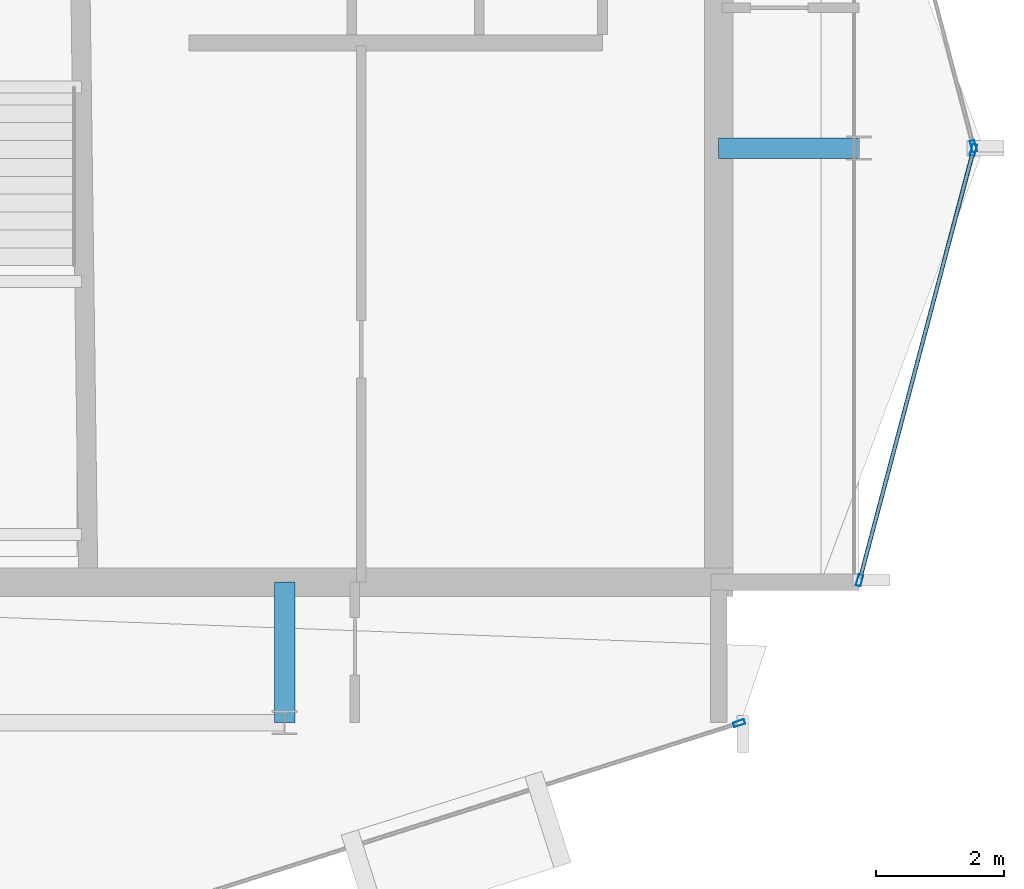
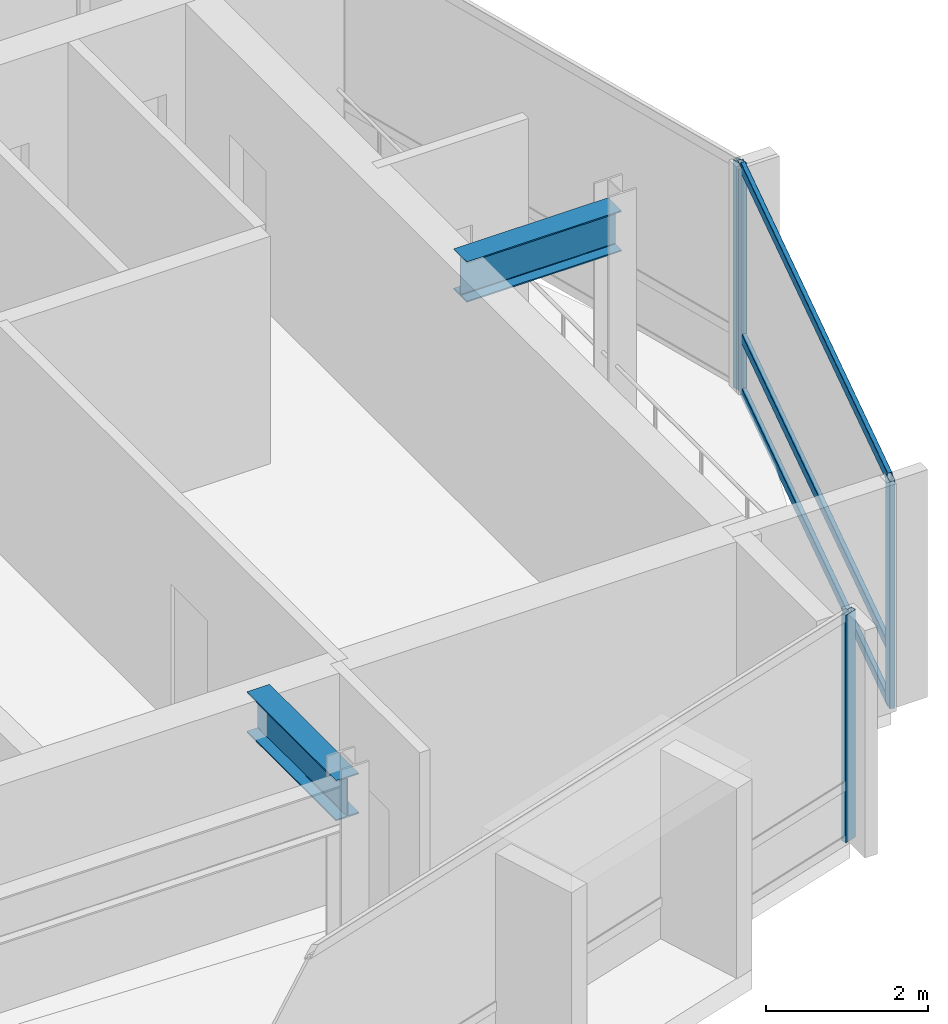
# One storey, part 9 of 19: 7 members, 2 beams, 3 elements without a shape of their own.
"""IFC4 building model written with IfcOpenShell, lengths in metres."""

from ifc_helpers import new_model, si_unit, direction, frame, origin, origin_2d, place, context, subcontext, project, spatial, hollow_rectangle, i_section, extrude, material, layer, layer_set, material_profile, profile_set, type_object, element, aggregate, save


model = new_model("IFC4")

# Units and contexts
model_context = context("Model", 3, precision=1e-05, world=origin(), true_north=direction((0.0, 1.0)))
body_context = subcontext(model_context, "Body", "Model", "MODEL_VIEW")
ifc_project = project(units=[si_unit("LENGTHUNIT", "METRE"), si_unit("AREAUNIT", "SQUARE_METRE"), si_unit("VOLUMEUNIT", "CUBIC_METRE"), si_unit("PLANEANGLEUNIT", "RADIAN"), si_unit("MASSUNIT", "GRAM", prefix="KILO")], contexts=[model_context])

# Site, building, storey
site_placement = place(None, origin())
site = spatial("IfcSite", under=ifc_project, at=site_placement, CompositionType="ELEMENT")
building_placement = place(site_placement, origin())
building = spatial("IfcBuilding", under=site, at=building_placement, Name="Solvaryn Broadcast Tower", CompositionType="ELEMENT")
storey_placement = place(building_placement, frame((0.0, 0.0, 277.800048828125)))
storey = spatial("IfcBuildingStorey", under=building, at=storey_placement, Name="L70", CompositionType="ELEMENT", Elevation=277.800048828125)

# Beams
ifc_material_1 = material(Name="Steel ASTM A992 Grade 50", Category="steel")
ifc_material_profile_1 = material_profile(ifc_material_1, i_section(OverallWidth=0.323974609375, OverallDepth=0.611083984375, WebThickness=0.0126953125, FlangeThickness=0.01904296875, FilletRadius=0.014892578125, at=origin_2d()))
ifc_profile_set_1 = profile_set([ifc_material_profile_1], Name="Steel ASTM A992 Grade 50")
beam_type = type_object("IfcBeamType", Name="BM-B1-W24X104", PredefinedType="BEAM", material=ifc_profile_set_1)
for number, where, z_axis, x_axis, name in (
    (1, (36.0, 9.0, 3.114501953125), (0.0, 1.0, 0.0), (-1.0, 0.0, 0.0), "L70 Core Tie Beam CTE1"),
    (2, (42.800048828125, 18.0, 3.114501953125), (1.0, 0.0, 0.0), (0.0, 1.0, 0.0), "L70 Core Tie Beam CTE3"),
):
    element("IfcBeam", number, at=place(storey_placement, frame(where, z_axis=z_axis, x_axis=x_axis)), inside=storey, type_object=beam_type, Name=name, PredefinedType="BEAM", context=body_context, shape_type="SweptSolid", body=[
        extrude(i_section(OverallWidth=0.323974609375, OverallDepth=0.611083984375, WebThickness=0.0126953125, FlangeThickness=0.01904296875, FilletRadius=0.014892578125, at=origin_2d()), origin(), (0.0, 0.0, 1.0), 2.199951171875),
    ])

# Curtain wall, member
ifc_material_2 = material(Name="Aluminium and Terracotta Unitised Curtain Wall", Category="masonry")
ifc_layer = layer(ifc_material_2, 0.199951171875)
ifc_layer_set = layer_set([ifc_layer], Name="CW-SYS2-LOWMID")
curtain_wall_type = type_object("IfcCurtainWallType", Name="CW-SYS2-LOWMID", PredefinedType="NOTDEFINED", material=ifc_layer_set)
curtain_wall_1_placement = place(storey_placement, origin())
curtain_wall_1 = element("IfcCurtainWall", 3, at=curtain_wall_1_placement, inside=storey, type_object=curtain_wall_type, Name="L70 Curtain Wall DR4", PredefinedType="NOTDEFINED")
ifc_material_3 = material(Name="Anodised Aluminium 6063-T6", Category="aluminium")
ifc_material_profile_2 = material_profile(ifc_material_3, hollow_rectangle(XDim=0.074951171875, YDim=0.179931640625, WallThickness=0.00390625, InnerFilletRadius=0.00390625, OuterFilletRadius=0.008056640625, at=origin_2d()))
ifc_profile_set_2 = profile_set([ifc_material_profile_2], Name="Anodised Aluminium 6063-T6")
member_type_1 = type_object("IfcMemberType", Name="CW-MUL-180", PredefinedType="MULLION", material=ifc_profile_set_2)
member_1_placement = place(storey_placement, frame((43.120361328125, 8.990966796875, 0.0), z_axis=(0.0, 0.0, 1.0), x_axis=(-0.30361564569, 0.952794594701, 0.0)))
member_1 = element("IfcMember", 4, at=member_1_placement, type_object=member_type_1, Name="CWS2 mullion 2", PredefinedType="MULLION", context=body_context, shape_type="SweptSolid", body=[
    extrude(hollow_rectangle(XDim=0.074951171875, YDim=0.179931640625, WallThickness=0.00390625, InnerFilletRadius=0.00390625, OuterFilletRadius=0.008056640625, at=origin_2d()), origin(), (0.0, 0.0, 1.0), 3.419921875),
])
aggregate(curtain_wall_1, [member_1])

curtain_wall_2_placement = place(storey_placement, origin())
curtain_wall_2 = element("IfcCurtainWall", 5, at=curtain_wall_2_placement, inside=storey, type_object=curtain_wall_type, Name="L70 Curtain Wall ET1", PredefinedType="NOTDEFINED")
member_2_placement = place(storey_placement, frame((46.792236328125, 18.029052734375, 0.0), z_axis=(0.0, 0.0, 1.0), x_axis=(0.966705227863, 0.25589256031, 0.0)))
member_2 = element("IfcMember", 6, at=member_2_placement, type_object=member_type_1, Name="CWS2 mullion 2", PredefinedType="MULLION", context=body_context, shape_type="SweptSolid", body=[
    extrude(hollow_rectangle(XDim=0.074951171875, YDim=0.179931640625, WallThickness=0.00390625, InnerFilletRadius=0.00390625, OuterFilletRadius=0.008056640625, at=origin_2d()), origin(), (0.0, 0.0, 1.0), 3.419921875),
])
aggregate(curtain_wall_2, [member_2])

# Curtain wall, members
curtain_wall_3_placement = place(storey_placement, origin())
curtain_wall_3 = element("IfcCurtainWall", 7, at=curtain_wall_3_placement, inside=storey, type_object=curtain_wall_type, Name="L70 Curtain Wall ET2", PredefinedType="NOTDEFINED")
member_3_placement = place(storey_placement, frame((46.792236328125, 17.970947265625, 0.0), z_axis=(0.0, 0.0, 1.0), x_axis=(0.966705227863, -0.25589256031, 0.0)))
member_3 = element("IfcMember", 8, at=member_3_placement, type_object=member_type_1, Name="CWS2 mullion 1", PredefinedType="MULLION", context=body_context, shape_type="SweptSolid", body=[
    extrude(hollow_rectangle(XDim=0.074951171875, YDim=0.179931640625, WallThickness=0.00390625, InnerFilletRadius=0.00390625, OuterFilletRadius=0.008056640625, at=origin_2d()), origin(), (0.0, 0.0, 1.0), 3.419921875),
])
member_4_placement = place(storey_placement, frame((45.007568359375, 11.22900390625, 0.0), z_axis=(0.0, 0.0, 1.0), x_axis=(0.966705227863, -0.25589256031, 0.0)))
member_4 = element("IfcMember", 9, at=member_4_placement, type_object=member_type_1, Name="CWS2 mullion 2", PredefinedType="MULLION", context=body_context, shape_type="SweptSolid", body=[
    extrude(hollow_rectangle(XDim=0.074951171875, YDim=0.179931640625, WallThickness=0.00390625, InnerFilletRadius=0.00390625, OuterFilletRadius=0.008056640625, at=origin_2d()), origin(), (0.0, 0.0, 1.0), 3.419921875),
])
ifc_material_4 = material(Name="Anodised Aluminium 6063-T6", Category="aluminium")
ifc_material_profile_3 = material_profile(ifc_material_4, hollow_rectangle(XDim=0.06494140625, YDim=0.14990234375, WallThickness=0.00390625, InnerFilletRadius=0.00390625, OuterFilletRadius=0.008056640625, at=origin_2d()))
ifc_profile_set_3 = profile_set([ifc_material_profile_3], Name="Anodised Aluminium 6063-T6")
member_type_2 = type_object("IfcMemberType", Name="CW-TRN-150", PredefinedType="USERDEFINED", material=ifc_profile_set_3)
member_5_placement = place(storey_placement, frame((46.78466796875, 17.94189453125, 0.030029296875), z_axis=(-0.255897413051, -0.966703943301, 0.0), x_axis=(0.966703943301, -0.255897413051, 0.0)))
member_5 = element("IfcMember", 10, at=member_5_placement, type_object=member_type_2, Name="CWS2 transom 1.1", ObjectType="TRANSOM", PredefinedType="USERDEFINED", context=body_context, shape_type="SweptSolid", body=[
    extrude(hollow_rectangle(XDim=0.06494140625, YDim=0.14990234375, WallThickness=0.00390625, InnerFilletRadius=0.00390625, OuterFilletRadius=0.008056640625, at=origin_2d()), origin(), (0.0, 0.0, 1.0), 6.9140625),
])
member_6_placement = place(storey_placement, frame((46.78466796875, 17.94189453125, 0.849853515625), z_axis=(-0.255897413051, -0.966703943301, 0.0), x_axis=(0.966703943301, -0.255897413051, 0.0)))
member_6 = element("IfcMember", 11, at=member_6_placement, type_object=member_type_2, Name="CWS2 transom 1.2", ObjectType="TRANSOM", PredefinedType="USERDEFINED", context=body_context, shape_type="SweptSolid", body=[
    extrude(hollow_rectangle(XDim=0.06494140625, YDim=0.14990234375, WallThickness=0.00390625, InnerFilletRadius=0.00390625, OuterFilletRadius=0.008056640625, at=origin_2d()), origin(), (0.0, 0.0, 1.0), 6.9140625),
])
member_7_placement = place(storey_placement, frame((46.78466796875, 17.94189453125, 3.389892578125), z_axis=(-0.255897413051, -0.966703943301, 0.0), x_axis=(0.966703943301, -0.255897413051, 0.0)))
member_7 = element("IfcMember", 12, at=member_7_placement, type_object=member_type_2, Name="CWS2 transom 1.3", ObjectType="TRANSOM", PredefinedType="USERDEFINED", context=body_context, shape_type="SweptSolid", body=[
    extrude(hollow_rectangle(XDim=0.06494140625, YDim=0.14990234375, WallThickness=0.00390625, InnerFilletRadius=0.00390625, OuterFilletRadius=0.008056640625, at=origin_2d()), origin(), (0.0, 0.0, 1.0), 6.9140625),
])
aggregate(curtain_wall_3, [member_3, member_4, member_5, member_6, member_7])

save(model, "model.ifc")
